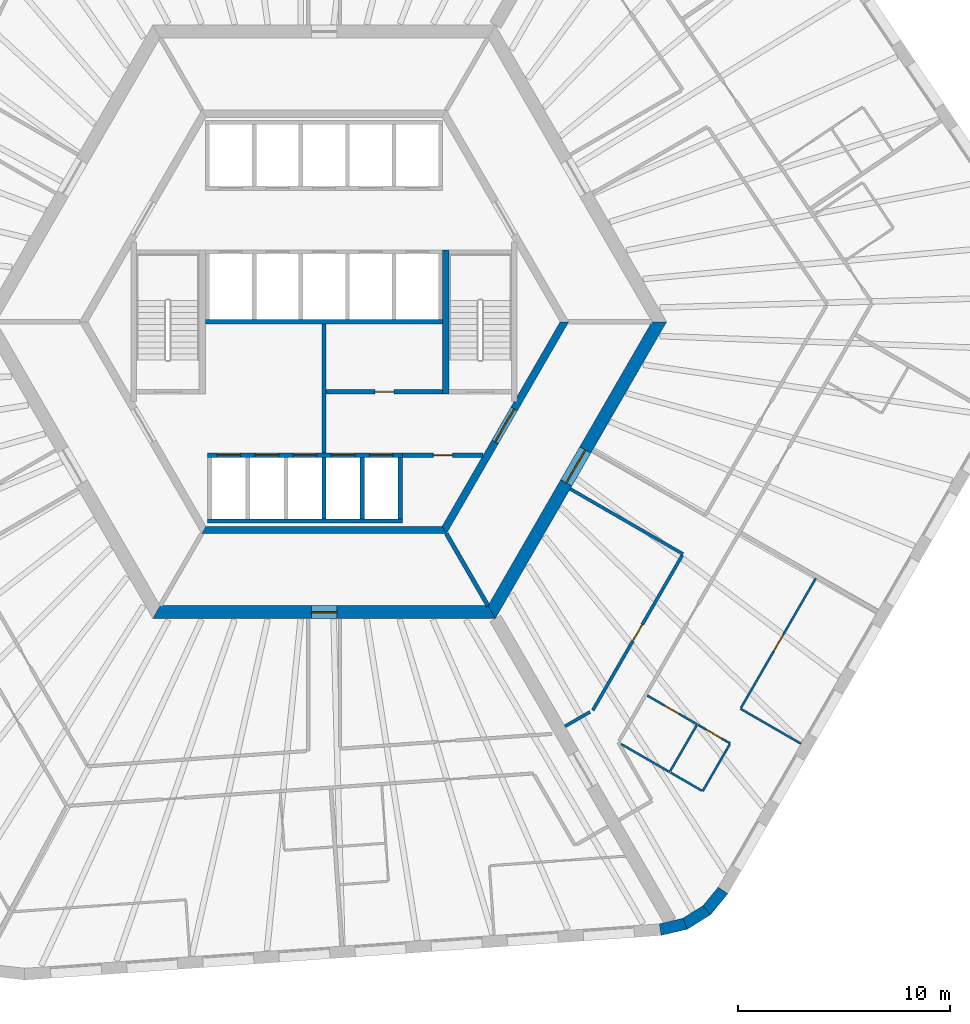
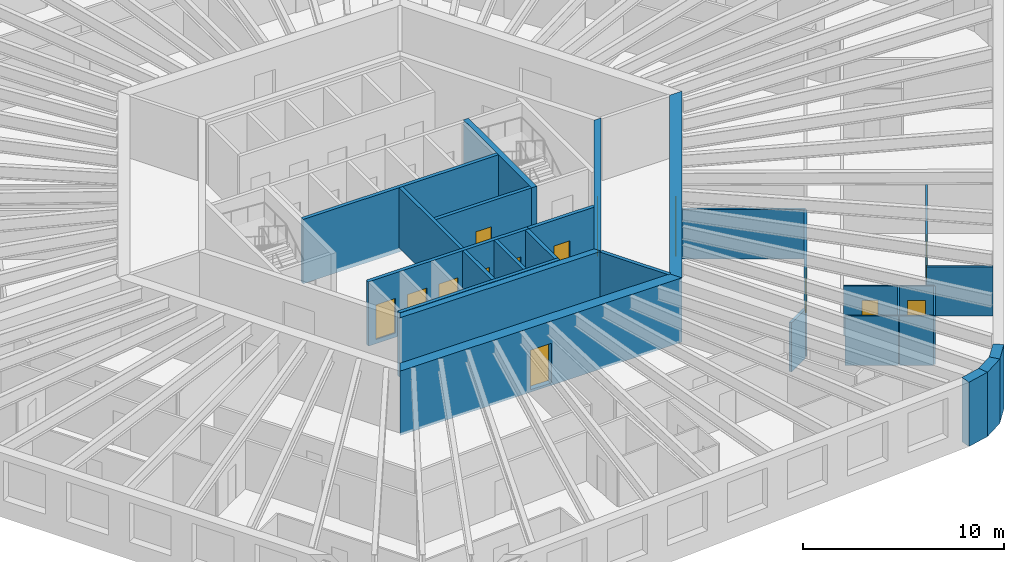
# One storey, part 5 of 12: 29 walls, 14 doors, 14 openings.
"""IFC4 building model written with IfcOpenShell, lengths in metres."""

import ifcopenshell
import ifcopenshell.guid

model = None  # the IFC model being written
_history = None  # IfcOwnerHistory: only IFC2X3 demands one
_inside = {}  # id of a spatial element -> (the spatial element, [elements in it])
_under = {}  # id of a project, library or spatial element -> (it, [spatial elements below it])
_declared = {}  # id of a project -> (the project, [libraries it declares])
_typed = {}  # id of a type object -> (the type object, [elements of that type])
_made_of = {}  # id of a material, layer set ... -> (it, [elements and type objects made of it])


def new_model(schema):
    """Start an empty IFC model of exactly this schema.

    Asked for "IFC4X3", IfcOpenShell would pick the latest addendum, in which some entities
    have other attributes; the version numbers below select the first issue.
    IFC2X3 requires an IfcOwnerHistory on every rooted entity: one is made here for all.
    """
    global model, _history
    if schema == "IFC4X3":
        model = ifcopenshell.file(schema_version=(4, 3, 0, 0))
    else:
        model = ifcopenshell.file(schema=schema)
    _inside.clear()
    _under.clear()
    _declared.clear()
    _typed.clear()
    _made_of.clear()
    _history = None
    if model.schema == "IFC2X3":
        org = make("IfcOrganization", Name="unknown")
        user = make(
            "IfcPersonAndOrganization",
            ThePerson=make("IfcPerson", FamilyName="unknown"),
            TheOrganization=org,
        )
        app = make(
            "IfcApplication",
            ApplicationDeveloper=org,
            Version="unknown",
            ApplicationFullName="unknown",
            ApplicationIdentifier="unknown",
        )
        _history = make(
            "IfcOwnerHistory",
            OwningUser=user,
            OwningApplication=app,
            ChangeAction="ADDED",
            CreationDate=0,
        )
    return model


def make(cls, **values):
    """One entity of the class cls with the attributes given. An attribute that is None is left unset."""
    return model.create_entity(
        cls, **{name: value for name, value in values.items() if value is not None}
    )


def rooted(cls, **values):
    """An entity with a GlobalId (a new one), such as an element, a storey or a relation."""
    return make(cls, GlobalId=ifcopenshell.guid.new(), OwnerHistory=_history, **values)


def si_unit(unit_type, name, prefix=None):
    """IfcSIUnit, for example si_unit("LENGTHUNIT", "METRE", prefix="MILLI")."""
    return make("IfcSIUnit", UnitType=unit_type, Prefix=prefix, Name=name)


def assignment(units):
    """IfcUnitAssignment: the units of a project."""
    return None if units is None else make("IfcUnitAssignment", Units=units)


def point(xyz):
    """IfcCartesianPoint."""
    return None if xyz is None else make("IfcCartesianPoint", Coordinates=xyz)


def direction(xyz):
    """IfcDirection."""
    return None if xyz is None else make("IfcDirection", DirectionRatios=xyz)


def frame(location, z_axis=None, x_axis=None):
    """IfcAxis2Placement3D, a coordinate frame: its origin and axes. An axis left out is left unset."""
    return make(
        "IfcAxis2Placement3D",
        Location=point(location),
        Axis=direction(z_axis),
        RefDirection=direction(x_axis),
    )


def frame_2d(location, x_axis=None):
    """IfcAxis2Placement2D, a coordinate frame in the plane: its origin and x axis."""
    return make(
        "IfcAxis2Placement2D", Location=point(location), RefDirection=direction(x_axis)
    )


def origin():
    """The frame at (0, 0, 0) with its axes left unset."""
    return frame((0.0, 0.0, 0.0))


def place(relative_to, where):
    """IfcLocalPlacement: puts the frame where relative to a parent placement (None: the world)."""
    return make(
        "IfcLocalPlacement", PlacementRelTo=relative_to, RelativePlacement=where
    )


def context(
    kind, dimensions, precision=None, world=None, true_north=None, identifier=None
):
    """IfcGeometricRepresentationContext, for example the 3D "Model" context."""
    return make(
        "IfcGeometricRepresentationContext",
        ContextIdentifier=identifier,
        ContextType=kind,
        CoordinateSpaceDimension=dimensions,
        Precision=precision,
        WorldCoordinateSystem=world,
        TrueNorth=true_north,
    )


def subcontext(parent, identifier, kind, view, scale=None):
    """IfcGeometricRepresentationSubContext, for example "Body" below "Model"."""
    return make(
        "IfcGeometricRepresentationSubContext",
        ContextIdentifier=identifier,
        ContextType=kind,
        ParentContext=parent,
        TargetScale=scale,
        TargetView=view,
    )


def project(units=None, contexts=None):
    """IfcProject with its units and contexts."""
    return rooted(
        "IfcProject",
        Name="project",
        RepresentationContexts=contexts,
        UnitsInContext=assignment(units),
    )


def spatial(cls, under=None, at=None, **own):
    """A site, building, storey or space (cls), placed at a placement, below another one or the project."""
    s = rooted(cls, ObjectPlacement=at, **own)
    if under is not None:
        _under.setdefault(under.id(), (under, []))[1].append(s)
    return s


def polyline(points):
    """IfcPolyline through the points."""
    return make("IfcPolyline", Points=[point(p) for p in points])


def profile(cls, at=None, kind="AREA", **sizes):
    """A parametric profile (cls). Its sizes go by their IFC names, for example OverallWidth=200.0."""
    return make(cls, ProfileType=kind, Position=at, **sizes)


def rectangle(**sizes):
    """IfcRectangleProfileDef."""
    return profile("IfcRectangleProfileDef", **sizes)


def outline(outer, holes=None, kind="AREA"):
    """IfcArbitraryClosedProfileDef: a profile drawn as a closed curve; with holes, ...WithVoids."""
    if holes is None:
        return make("IfcArbitraryClosedProfileDef", ProfileType=kind, OuterCurve=outer)
    return make(
        "IfcArbitraryProfileDefWithVoids",
        ProfileType=kind,
        OuterCurve=outer,
        InnerCurves=holes,
    )


def extrude(swept, where, along, depth):
    """IfcExtrudedAreaSolid: the profile swept, set in the frame where, extruded along a direction by depth."""
    return make(
        "IfcExtrudedAreaSolid",
        SweptArea=swept,
        Position=where,
        ExtrudedDirection=direction(along),
        Depth=depth,
    )


def shape(context_of_items, identifier, shape_type, items):
    """IfcShapeRepresentation: the items that make up one representation, for example the "Body"."""
    return make(
        "IfcShapeRepresentation",
        ContextOfItems=context_of_items,
        RepresentationIdentifier=identifier,
        RepresentationType=shape_type,
        Items=items,
    )


def material(Name=None, Category=None):
    """IfcMaterial."""
    return make("IfcMaterial", Name=Name, Category=Category)


def layer(
    of_material, thickness, ventilated=None, Name=None, Category=None, Priority=None
):
    """IfcMaterialLayer: one layer of a wall or slab, of a material (None: an air gap)."""
    return make(
        "IfcMaterialLayer",
        Material=of_material,
        LayerThickness=thickness,
        IsVentilated=ventilated,
        Name=Name,
        Category=Category,
        Priority=Priority,
    )


def layer_set(layers, Name=None):
    """IfcMaterialLayerSet."""
    return make("IfcMaterialLayerSet", MaterialLayers=layers, LayerSetName=Name)


def made_of(thing, what):
    """Note that an element or type object is made of a material, layer set ...; save() writes the relation."""
    if what is not None:
        _made_of.setdefault(what.id(), (what, []))[1].append(thing)
    return thing


def type_object(cls, material=None, **own):
    """A type object (cls), such as IfcWallType, which elements share."""
    return made_of(rooted(cls, **own), material)


def element(
    cls,
    number,
    at=None,
    inside=None,
    cuts=None,
    type_object=None,
    material=None,
    context=None,
    identifier="Body",
    shape_type=None,
    held_by="IfcProductDefinitionShape",
    body=None,
    shapes=None,
    **own,
):
    """One element of the class cls, such as IfcWall. Its Tag is "e" and its number.

    at: its placement. inside: the storey or other place that contains it. cuts: it is an
    opening in that element (IfcRelVoidsElement). A single representation is given by context,
    identifier, shape_type and body (its items); several are given by shapes. held_by: the class
    of the entity that holds the representations. save() writes the other relations.
    """
    e = rooted(cls, Tag="e%d" % number, ObjectPlacement=at, **own)
    if body is not None:
        shapes = [shape(context, identifier, shape_type, body)]
    if shapes is not None:
        e.Representation = make(held_by, Representations=shapes)
    if inside is not None:
        _inside.setdefault(inside.id(), (inside, []))[1].append(e)
    if cuts is not None:
        rooted(
            "IfcRelVoidsElement", RelatingBuildingElement=cuts, RelatedOpeningElement=e
        )
    if type_object is not None:
        _typed.setdefault(type_object.id(), (type_object, []))[1].append(e)
    return made_of(e, material)


def fill(opening, filler):
    """IfcRelFillsElement: the door or window that sits in an opening."""
    return rooted(
        "IfcRelFillsElement",
        RelatingOpeningElement=opening,
        RelatedBuildingElement=filler,
    )


def aggregate(whole, parts):
    """IfcRelAggregates: a whole, such as a stair, and the parts it consists of."""
    return rooted("IfcRelAggregates", RelatingObject=whole, RelatedObjects=parts)


def save(model, path):
    """Write the relations noted so far, then the file.

    IfcRelAggregates (storeys below a building ...), IfcRelContainedInSpatialStructure (elements
    in a storey), IfcRelDefinesByType, IfcRelAssociatesMaterial and IfcRelDeclares: one each for
    every whole, place, type object, material and project.
    """
    for whole, parts in _under.values():
        aggregate(whole, parts)
    for where, things in _inside.values():
        rooted(
            "IfcRelContainedInSpatialStructure",
            RelatedElements=things,
            RelatingStructure=where,
        )
    for kind, things in _typed.values():
        rooted("IfcRelDefinesByType", RelatedObjects=things, RelatingType=kind)
    for what, things in _made_of.values():
        rooted("IfcRelAssociatesMaterial", RelatedObjects=things, RelatingMaterial=what)
    for by, libraries in _declared.values():
        rooted("IfcRelDeclares", RelatingContext=by, RelatedDefinitions=libraries)
    model.write(path)


model = new_model("IFC4")

# Units and contexts
model_context = context("Model", 3, precision=1e-05, world=origin(), true_north=direction((0.0, 1.0)))
body_context = subcontext(model_context, "Body", "Model", "MODEL_VIEW")
ifc_project = project(units=[si_unit("LENGTHUNIT", "METRE"), si_unit("AREAUNIT", "SQUARE_METRE"), si_unit("VOLUMEUNIT", "CUBIC_METRE"), si_unit("PLANEANGLEUNIT", "RADIAN"), si_unit("MASSUNIT", "GRAM", prefix="KILO")], contexts=[model_context])

# Site, building, storey
site_placement = place(None, origin())
site = spatial("IfcSite", under=ifc_project, at=site_placement, CompositionType="ELEMENT")
building_placement = place(site_placement, origin())
building = spatial("IfcBuilding", under=site, at=building_placement, Name="Tarnside Tower", CompositionType="ELEMENT")
storey_placement = place(building_placement, frame((0.0, 0.0, 64.800048828125)))
storey = spatial("IfcBuildingStorey", under=building, at=storey_placement, Name="L13", CompositionType="ELEMENT", Elevation=64.800048828125)

# Wall
ifc_material_1 = material(Name="Gypsum board partition on steel studs", Category="steel")
ifc_layer_1 = layer(ifc_material_1, 0.10009765625)
ifc_layer_set_1 = layer_set([ifc_layer_1], Name="Bathroom wall 100")
wall_type_1 = type_object("IfcWallType", Name="Bathroom wall 100", PredefinedType="PARTITIONING", material=ifc_layer_set_1)
wall_1_placement = place(storey_placement, frame((16.31005859375, -21.25, 0.0), z_axis=(0.0, 0.0, 1.0), x_axis=(-0.866029095148, 0.499993606316, 0.0)))
element("IfcWall", 1, at=wall_1_placement, inside=storey, type_object=wall_type_1, Name="Bathroom wall 03124", PredefinedType="PARTITIONING", context=body_context, shape_type="SweptSolid", body=[
    extrude(rectangle(XDim=2.64990234375, YDim=0.10009765625, at=frame_2d((1.324951171875, 0.0))), origin(), (0.0, 0.0, 1.0), 2.98779296875),
])

# Wall, opening, door
wall_2_placement = place(storey_placement, frame((15.250244140625, -17.6357421875, 0.0), z_axis=(0.0, 0.0, 1.0), x_axis=(0.866012511928, -0.500022328685, 0.0)))
wall_2 = element("IfcWall", 2, at=wall_2_placement, inside=storey, type_object=wall_type_1, Name="Bathroom wall 03125", PredefinedType="PARTITIONING", context=body_context, shape_type="SweptSolid", body=[
    extrude(rectangle(XDim=2.72509765625, YDim=0.10009765625, at=frame_2d((1.362548828125, 0.0))), origin(), (0.0, 0.0, 1.0), 2.98779296875),
])
opening_1_placement = place(wall_2_placement, frame((0.925048828125, 0.0, 0.0)))
opening_1 = element("IfcOpeningElement", 3, at=opening_1_placement, cuts=wall_2, Name="Opening D-B1", PredefinedType="OPENING", context=body_context, shape_type="SweptSolid", body=[
    extrude(rectangle(XDim=0.800048828125, YDim=2.10009765625, at=frame_2d((0.39990234375, 1.050048828125))), frame((0.0, 0.06005859375, 0.0), z_axis=(0.0, -1.0, 0.0), x_axis=(1.0, 0.0, 0.0)), (0.0, 0.0, 1.0), 0.1201171875),
])
ifc_material_2 = material(Name="Timber door leaf", Category="wood")
door_type_1 = type_object("IfcDoorType", Name="Bathroom door 800", OperationType="NOTDEFINED", PredefinedType="DOOR", material=ifc_material_2)
door_1_placement = place(opening_1_placement, origin())
door_1 = element("IfcDoor", 4, at=door_1_placement, inside=storey, type_object=door_type_1, Name="Bathroom door 03027", OperationType="SINGLE_SWING_RIGHT", OverallHeight=2.10009765625, OverallWidth=0.800048828125, PredefinedType="DOOR", context=body_context, shape_type="SweptSolid", body=[
    extrude(rectangle(XDim=0.800048828125, YDim=2.10009765625, at=frame_2d((0.39990234375, 1.050048828125))), frame((0.0, 0.02490234375, 0.0), z_axis=(0.0, -1.0, 0.0), x_axis=(1.0, 0.0, 0.0)), (0.0, 0.0, 1.0), 0.050048828125),
])
fill(opening_1, door_1)

# Walls
wall_3_placement = place(storey_placement, frame((16.335205078125, -21.206787109375, 0.0), z_axis=(0.0, 0.0, 1.0), x_axis=(0.500004234368, 0.866022959057, 0.0)))
element("IfcWall", 5, at=wall_3_placement, inside=storey, type_object=wall_type_1, Name="Bathroom wall 03132", PredefinedType="PARTITIONING", context=body_context, shape_type="SweptSolid", body=[
    extrude(rectangle(XDim=2.5, YDim=0.10009765625, at=frame_2d((1.25, 0.0))), origin(), (0.0, 0.0, 1.0), 2.98779296875),
])
ifc_material_3 = material(Name="Concrete C50/60", Category="concrete")
ifc_layer_2 = layer(ifc_material_3, 0.35009765625)
ifc_layer_set_2 = layer_set([ifc_layer_2], Name="Core block wall 350 C50/60")
wall_type_2 = type_object("IfcWallType", Name="Core block wall 350 C50/60", PredefinedType="SHEAR", material=ifc_layer_set_2)
wall_4_placement = place(storey_placement, frame((-5.672607421875, -9.824951171875, -0.150146484375), z_axis=(0.0, 0.0, 1.0), x_axis=(1.0, 0.0, 0.0)))
element("IfcWall", 6, at=wall_4_placement, inside=storey, type_object=wall_type_2, Name="L13 core block wall face 4", PredefinedType="SHEAR", context=body_context, shape_type="SweptSolid", body=[
    extrude(outline(polyline([(-0.10107421875, -0.175048828125), (11.4462890625, -0.175048828125), (11.244140625, 0.175048828125), (0.10107421875, 0.175048828125), (-0.10107421875, -0.175048828125)])), origin(), (0.0, 0.0, 1.0), 3.900146484375),
])

# Wall, opening, door
wall_5_placement = place(storey_placement, frame((5.672607421875, -9.824951171875, -0.150146484375), z_axis=(0.0, 0.0, 1.0), x_axis=(0.499995046907, 0.866028263435, 0.0)))
wall_5 = element("IfcWall", 7, at=wall_5_placement, inside=storey, type_object=wall_type_2, Name="L13 core block wall face 5", PredefinedType="SHEAR", context=body_context, shape_type="SweptSolid", body=[
    extrude(outline(polyline([(-0.10107421875, -0.175048828125), (11.44580078125, -0.175048828125), (11.24365234375, 0.175048828125), (0.10107421875, 0.175048828125), (-0.10107421875, -0.175048828125)])), origin(), (0.0, 0.0, 1.0), 3.900146484375),
])
opening_2_placement = place(wall_5_placement, frame((4.80126953125, 0.0, 0.14990234375)))
opening_2 = element("IfcOpeningElement", 8, at=opening_2_placement, cuts=wall_5, Name="Opening CD-FFL", PredefinedType="OPENING", context=body_context, shape_type="SweptSolid", body=[
    extrude(rectangle(XDim=1.800048828125, YDim=2.39990234375, at=frame_2d((0.89990234375, 1.199951171875))), frame((0.0, 0.18505859375, 0.0), z_axis=(0.0, -1.0, 0.0), x_axis=(1.0, 0.0, 0.0)), (0.0, 0.0, 1.0), 0.3701171875),
])
ifc_material_4 = material(Name="Steel fire door", Category="steel")
door_type_2 = type_object("IfcDoorType", Name="Firefighting lobby double door FD60S 1800x2400", OperationType="NOTDEFINED", PredefinedType="DOOR", material=ifc_material_4)
door_2_placement = place(opening_2_placement, origin())
door_2 = element("IfcDoor", 9, at=door_2_placement, inside=storey, type_object=door_type_2, Name="L13 lobby block door P4", OperationType="DOUBLE_DOOR_SINGLE_SWING", OverallHeight=2.39990234375, OverallWidth=1.800048828125, PredefinedType="DOOR", context=body_context, shape_type="SweptSolid", body=[
    extrude(rectangle(XDim=1.800048828125, YDim=2.39990234375, at=frame_2d((0.89990234375, 1.199951171875))), frame((0.0, 0.02490234375, 0.0), z_axis=(0.0, -1.0, 0.0), x_axis=(1.0, 0.0, 0.0)), (0.0, 0.0, 1.0), 0.050048828125),
])
fill(opening_2, door_2)

ifc_material_5 = material(Name="Concrete C40/50", Category="concrete")
ifc_layer_3 = layer(ifc_material_5, 0.199951171875)
ifc_layer_set_3 = layer_set([ifc_layer_3], Name="Core room partition 200 C40/50")
wall_type_3 = type_object("IfcWallType", Name="Core room partition 200 C40/50", PredefinedType="PARTITIONING", material=ifc_layer_set_3)
wall_6_placement = place(storey_placement, frame((0.10009765625, -3.300048828125, 0.0), z_axis=(0.0, 0.0, 1.0), x_axis=(1.0, 0.0, 0.0)))
wall_6 = element("IfcWall", 10, at=wall_6_placement, inside=storey, type_object=wall_type_3, Name="L13 core partition R3S1", PredefinedType="PARTITIONING", context=body_context, shape_type="SweptSolid", body=[
    extrude(rectangle(XDim=5.5, YDim=0.199951171875, at=frame_2d((2.75, 0.0))), origin(), (0.0, 0.0, 1.0), 3.64990234375),
])
opening_3_placement = place(wall_6_placement, frame((2.300048828125, 0.0, 0.0)))
opening_3 = element("IfcOpeningElement", 11, at=opening_3_placement, cuts=wall_6, Name="Opening CD-room", PredefinedType="OPENING", context=body_context, shape_type="SweptSolid", body=[
    extrude(rectangle(XDim=0.89990234375, YDim=2.10009765625, at=frame_2d((0.449951171875, 1.050048828125))), frame((0.0, 0.10986328125, 0.0), z_axis=(0.0, -1.0, 0.0), x_axis=(1.0, 0.0, 0.0)), (0.0, 0.0, 1.0), 0.219970703125),
])
door_type_3 = type_object("IfcDoorType", Name="Room door FD60 900x2100", OperationType="NOTDEFINED", PredefinedType="DOOR", material=ifc_material_4)
door_3_placement = place(opening_3_placement, origin())
door_3 = element("IfcDoor", 12, at=door_3_placement, inside=storey, type_object=door_type_3, Name="L13 core room door SR1", OperationType="SINGLE_SWING_LEFT", OverallHeight=2.10009765625, OverallWidth=0.89990234375, PredefinedType="DOOR", context=body_context, shape_type="SweptSolid", body=[
    extrude(rectangle(XDim=0.89990234375, YDim=2.10009765625, at=frame_2d((0.449951171875, 1.050048828125))), frame((0.0, 0.02490234375, 0.0), z_axis=(0.0, -1.0, 0.0), x_axis=(1.0, 0.0, 0.0)), (0.0, 0.0, 1.0), 0.050048828125),
])
fill(opening_3, door_3)

# Wall
wall_7_placement = place(storey_placement, frame((0.0, -6.199951171875, 0.0), z_axis=(0.0, 0.0, 1.0), x_axis=(0.0, 1.0, 0.0)))
element("IfcWall", 13, at=wall_7_placement, inside=storey, type_object=wall_type_3, Name="L13 core partition X0", PredefinedType="PARTITIONING", context=body_context, shape_type="SweptSolid", body=[
    extrude(rectangle(XDim=6.099853515625, YDim=0.199951171875, at=frame_2d((3.0498046875, 0.0))), origin(), (0.0, 0.0, 1.0), 3.64990234375),
])

# Wall, opening, door
wall_8_placement = place(storey_placement, frame((3.699951171875, -6.300048828125, 0.0), z_axis=(0.0, 0.0, 1.0), x_axis=(1.0, 0.0, 0.0)))
wall_8 = element("IfcWall", 14, at=wall_8_placement, inside=storey, type_object=wall_type_3, Name="L13 core partition R4X", PredefinedType="PARTITIONING", context=body_context, shape_type="SweptSolid", body=[
    extrude(rectangle(XDim=3.8056640625, YDim=0.199951171875, at=frame_2d((1.90283203125, 0.0))), origin(), (0.0, 0.0, 1.0), 3.64990234375),
])
opening_4_placement = place(wall_8_placement, frame((1.452880859375, 0.0, 0.0)))
opening_4 = element("IfcOpeningElement", 15, at=opening_4_placement, cuts=wall_8, Name="Opening CD-room", PredefinedType="OPENING", context=body_context, shape_type="SweptSolid", body=[
    extrude(rectangle(XDim=0.89990234375, YDim=2.10009765625, at=frame_2d((0.449951171875, 1.050048828125))), frame((0.0, 0.10986328125, 0.0), z_axis=(0.0, -1.0, 0.0), x_axis=(1.0, 0.0, 0.0)), (0.0, 0.0, 1.0), 0.219970703125),
])
door_4_placement = place(opening_4_placement, origin())
door_4 = element("IfcDoor", 16, at=door_4_placement, inside=storey, type_object=door_type_3, Name="L13 core room door RX", OperationType="SINGLE_SWING_LEFT", OverallHeight=2.10009765625, OverallWidth=0.89990234375, PredefinedType="DOOR", context=body_context, shape_type="SweptSolid", body=[
    extrude(rectangle(XDim=0.89990234375, YDim=2.10009765625, at=frame_2d((0.449951171875, 1.050048828125))), frame((0.0, 0.02490234375, 0.0), z_axis=(0.0, -1.0, 0.0), x_axis=(1.0, 0.0, 0.0)), (0.0, 0.0, 1.0), 0.050048828125),
])
fill(opening_4, door_4)

ifc_material_6 = material(Name="Concrete C80/95", Category="concrete")
ifc_layer_4 = layer(ifc_material_6, 0.60009765625)
ifc_layer_set_4 = layer_set([ifc_layer_4], Name="Core wall Z1 600 C80/95")
wall_type_4 = type_object("IfcWallType", Name="Core wall Z1 600 C80/95", PredefinedType="SHEAR", material=ifc_layer_set_4)
wall_9_placement = place(storey_placement, frame((-7.90966796875, -13.699951171875, -0.150146484375), z_axis=(0.0, 0.0, 1.0), x_axis=(1.0, 0.0, 0.0)))
wall_9 = element("IfcWall", 17, at=wall_9_placement, inside=storey, type_object=wall_type_4, Name="L13 core wall face 4", PredefinedType="SHEAR", context=body_context, shape_type="SweptSolid", body=[
    extrude(outline(polyline([(-0.17333984375, -0.300048828125), (15.99267578125, -0.300048828125), (15.64599609375, 0.300048828125), (0.17333984375, 0.300048828125), (-0.17333984375, -0.300048828125)])), origin(), (0.0, 0.0, 1.0), 3.900146484375),
])
opening_5_placement = place(wall_9_placement, frame((7.309814453125, 0.0, 0.14990234375)))
opening_5 = element("IfcOpeningElement", 18, at=opening_5_placement, cuts=wall_9, Name="Opening CD-RSR", PredefinedType="OPENING", context=body_context, shape_type="SweptSolid", body=[
    extrude(rectangle(XDim=1.199951171875, YDim=2.39990234375, at=frame_2d((0.60009765625, 1.199951171875))), frame((0.0, 0.31005859375, 0.0), z_axis=(0.0, -1.0, 0.0), x_axis=(1.0, 0.0, 0.0)), (0.0, 0.0, 1.0), 0.6201171875),
])
door_type_4 = type_object("IfcDoorType", Name="Riser door FD60 1200x2400", OperationType="NOTDEFINED", PredefinedType="DOOR", material=ifc_material_4)
door_5_placement = place(opening_5_placement, origin())
door_5 = element("IfcDoor", 19, at=door_5_placement, inside=storey, type_object=door_type_4, Name="L13 core door S6", OperationType="SINGLE_SWING_LEFT", OverallHeight=2.39990234375, OverallWidth=1.199951171875, PredefinedType="DOOR", context=body_context, shape_type="SweptSolid", body=[
    extrude(rectangle(XDim=1.199951171875, YDim=2.39990234375, at=frame_2d((0.60009765625, 1.199951171875))), frame((0.0, 0.02490234375, 0.0), z_axis=(0.0, -1.0, 0.0), x_axis=(1.0, 0.0, 0.0)), (0.0, 0.0, 1.0), 0.050048828125),
])
fill(opening_5, door_5)

wall_10_placement = place(storey_placement, frame((7.90966796875, -13.699951171875, -0.150146484375), z_axis=(0.0, 0.0, 1.0), x_axis=(0.499999880136, 0.866025472988, 0.0)))
wall_10 = element("IfcWall", 20, at=wall_10_placement, inside=storey, type_object=wall_type_4, Name="L13 core wall face 5", PredefinedType="SHEAR", context=body_context, shape_type="SweptSolid", body=[
    extrude(outline(polyline([(-0.17333984375, -0.300048828125), (15.99267578125, -0.300048828125), (15.64599609375, 0.300048828125), (0.17333984375, 0.300048828125), (-0.17333984375, -0.300048828125)])), origin(), (0.0, 0.0, 1.0), 3.900146484375),
])
opening_6_placement = place(wall_10_placement, frame((7.03857421875, 0.0, 0.14990234375)))
opening_6 = element("IfcOpeningElement", 21, at=opening_6_placement, cuts=wall_10, Name="Opening CD-FFL", PredefinedType="OPENING", context=body_context, shape_type="SweptSolid", body=[
    extrude(rectangle(XDim=1.800048828125, YDim=2.39990234375, at=frame_2d((0.89990234375, 1.199951171875))), frame((0.0, 0.31005859375, 0.0), z_axis=(0.0, -1.0, 0.0), x_axis=(1.0, 0.0, 0.0)), (0.0, 0.0, 1.0), 0.6201171875),
])
door_6_placement = place(opening_6_placement, origin())
door_6 = element("IfcDoor", 22, at=door_6_placement, inside=storey, type_object=door_type_2, Name="L13 core door P4", OperationType="DOUBLE_DOOR_SINGLE_SWING", OverallHeight=2.39990234375, OverallWidth=1.800048828125, PredefinedType="DOOR", context=body_context, shape_type="SweptSolid", body=[
    extrude(rectangle(XDim=1.800048828125, YDim=2.39990234375, at=frame_2d((0.89990234375, 1.199951171875))), frame((0.0, 0.02490234375, 0.0), z_axis=(0.0, -1.0, 0.0), x_axis=(1.0, 0.0, 0.0)), (0.0, 0.0, 1.0), 0.050048828125),
])
fill(opening_6, door_6)

# Wall
ifc_layer_5 = layer(ifc_material_1, 0.14990234375)
ifc_layer_set_5 = layer_set([ifc_layer_5], Name="Corridor wall 150 EI 60")
wall_type_5 = type_object("IfcWallType", Name="Corridor wall 150 EI 60", PredefinedType="PARTITIONING", material=ifc_layer_set_5)
wall_11_placement = place(storey_placement, frame((11.61376953125, -7.88427734375, 0.0), z_axis=(0.0, 0.0, 1.0), x_axis=(0.866033542371, -0.499985903289, 0.0)))
element("IfcWall", 23, at=wall_11_placement, inside=storey, type_object=wall_type_5, Name="Corridor wall 03067", PredefinedType="PARTITIONING", context=body_context, shape_type="SweptSolid", body=[
    extrude(rectangle(XDim=6.150146484375, YDim=0.14990234375, at=frame_2d((3.0751953125, 0.0))), origin(), (0.0, 0.0, 1.0), 2.98779296875),
])

# Wall, opening, door
wall_12_placement = place(storey_placement, frame((16.90234375, -11.024169921875, 0.0), z_axis=(0.0, 0.0, 1.0), x_axis=(-0.499999527968, -0.866025676312, 0.0)))
wall_12 = element("IfcWall", 24, at=wall_12_placement, inside=storey, type_object=wall_type_5, Name="Corridor wall 03068", PredefinedType="PARTITIONING", context=body_context, shape_type="SweptSolid", body=[
    extrude(rectangle(XDim=8.44091796875, YDim=0.14990234375, at=frame_2d((4.220458984375, 0.0))), origin(), (0.0, 0.0, 1.0), 2.98779296875),
])
opening_7_placement = place(wall_12_placement, frame((3.7705078125, 0.0, 0.0)))
opening_7 = element("IfcOpeningElement", 25, at=opening_7_placement, cuts=wall_12, Name="Opening D-S1", PredefinedType="OPENING", context=body_context, shape_type="SweptSolid", body=[
    extrude(rectangle(XDim=0.89990234375, YDim=2.10009765625, at=frame_2d((0.449951171875, 1.050048828125))), frame((0.0, 0.0849609375, 0.0), z_axis=(0.0, -1.0, 0.0), x_axis=(1.0, 0.0, 0.0)), (0.0, 0.0, 1.0), 0.169921875),
])
door_type_5 = type_object("IfcDoorType", Name="Service room door 900 FD30S", OperationType="NOTDEFINED", PredefinedType="DOOR", material=ifc_material_2)
door_7_placement = place(opening_7_placement, origin())
door_7 = element("IfcDoor", 26, at=door_7_placement, inside=storey, type_object=door_type_5, Name="Service door 03046", OperationType="SINGLE_SWING_RIGHT", OverallHeight=2.10009765625, OverallWidth=0.89990234375, PredefinedType="DOOR", context=body_context, shape_type="SweptSolid", body=[
    extrude(rectangle(XDim=0.89990234375, YDim=2.10009765625, at=frame_2d((0.449951171875, 1.050048828125))), frame((0.0, 0.02490234375, 0.0), z_axis=(0.0, -1.0, 0.0), x_axis=(1.0, 0.0, 0.0)), (0.0, 0.0, 1.0), 0.050048828125),
])
fill(opening_7, door_7)

# Walls
wall_13_placement = place(storey_placement, frame((12.552001953125, -18.409423828125, 0.0), z_axis=(0.0, 0.0, 1.0), x_axis=(-0.866078408764, -0.499908181442, 0.0)))
element("IfcWall", 27, at=wall_13_placement, inside=storey, type_object=wall_type_5, Name="Corridor wall 03069", PredefinedType="PARTITIONING", context=body_context, shape_type="SweptSolid", body=[
    extrude(rectangle(XDim=1.365478515625, YDim=0.14990234375, at=frame_2d((0.6826171875, 0.0))), origin(), (0.0, 0.0, 1.0), 2.98779296875),
])
ifc_layer_6 = layer(ifc_material_5, 0.199951171875)
ifc_layer_set_6 = layer_set([ifc_layer_6], Name="Lift shaft wall 200 C40/50")
wall_type_6 = type_object("IfcWallType", Name="Lift shaft wall 200 C40/50", PredefinedType="SHEAR", material=ifc_layer_set_6)
wall_14_placement = place(storey_placement, frame((-5.60009765625, 0.0, -0.25), z_axis=(0.0, 0.0, 1.0), x_axis=(1.0, 0.0, 0.0)))
element("IfcWall", 28, at=wall_14_placement, inside=storey, type_object=wall_type_6, Name="L13 lift shaft back wall R2", PredefinedType="SHEAR", context=body_context, shape_type="SweptSolid", body=[
    extrude(rectangle(XDim=11.2001953125, YDim=0.199951171875, at=frame_2d((5.60009765625, 0.0))), origin(), (0.0, 0.0, 1.0), 3.89990234375),
])

# Wall, openings, doors
wall_15_placement = place(storey_placement, frame((-5.5, -6.300048828125, -0.25), z_axis=(0.0, 0.0, 1.0), x_axis=(1.0, 0.0, 0.0)))
wall_15 = element("IfcWall", 29, at=wall_15_placement, inside=storey, type_object=wall_type_6, Name="L13 lift shaft front wall R4", PredefinedType="SHEAR", context=body_context, shape_type="SweptSolid", body=[
    extrude(rectangle(XDim=9.199951171875, YDim=0.199951171875, at=frame_2d((4.60009765625, 0.0))), origin(), (0.0, 0.0, 1.0), 3.89990234375),
])
opening_8_placement = place(wall_15_placement, frame((0.449951171875, 0.0, 0.25)))
opening_8 = element("IfcOpeningElement", 30, at=opening_8_placement, cuts=wall_15, Name="Opening LDF", PredefinedType="OPENING", context=body_context, shape_type="SweptSolid", body=[
    extrude(rectangle(XDim=1.10009765625, YDim=2.10009765625, at=frame_2d((0.550048828125, 1.050048828125))), frame((0.0, 0.10986328125, 0.0), z_axis=(0.0, -1.0, 0.0), x_axis=(1.0, 0.0, 0.0)), (0.0, 0.0, 1.0), 0.219970703125),
])
opening_9_placement = place(wall_15_placement, frame((2.25, 0.0, 0.25)))
opening_9 = element("IfcOpeningElement", 31, at=opening_9_placement, cuts=wall_15, Name="Opening LDF", PredefinedType="OPENING", context=body_context, shape_type="SweptSolid", body=[
    extrude(rectangle(XDim=1.10009765625, YDim=2.10009765625, at=frame_2d((0.550048828125, 1.050048828125))), frame((0.0, 0.10986328125, 0.0), z_axis=(0.0, -1.0, 0.0), x_axis=(1.0, 0.0, 0.0)), (0.0, 0.0, 1.0), 0.219970703125),
])
opening_10_placement = place(wall_15_placement, frame((4.050048828125, 0.0, 0.25)))
opening_10 = element("IfcOpeningElement", 32, at=opening_10_placement, cuts=wall_15, Name="Opening LDF", PredefinedType="OPENING", context=body_context, shape_type="SweptSolid", body=[
    extrude(rectangle(XDim=1.10009765625, YDim=2.10009765625, at=frame_2d((0.550048828125, 1.050048828125))), frame((0.0, 0.10986328125, 0.0), z_axis=(0.0, -1.0, 0.0), x_axis=(1.0, 0.0, 0.0)), (0.0, 0.0, 1.0), 0.219970703125),
])
opening_11_placement = place(wall_15_placement, frame((5.85009765625, 0.0, 0.25)))
opening_11 = element("IfcOpeningElement", 33, at=opening_11_placement, cuts=wall_15, Name="Opening LDF", PredefinedType="OPENING", context=body_context, shape_type="SweptSolid", body=[
    extrude(rectangle(XDim=1.10009765625, YDim=2.10009765625, at=frame_2d((0.550048828125, 1.050048828125))), frame((0.0, 0.10986328125, 0.0), z_axis=(0.0, -1.0, 0.0), x_axis=(1.0, 0.0, 0.0)), (0.0, 0.0, 1.0), 0.219970703125),
])
opening_12_placement = place(wall_15_placement, frame((7.64990234375, 0.0, 0.25)))
opening_12 = element("IfcOpeningElement", 34, at=opening_12_placement, cuts=wall_15, Name="Opening LDF", PredefinedType="OPENING", context=body_context, shape_type="SweptSolid", body=[
    extrude(rectangle(XDim=1.10009765625, YDim=2.10009765625, at=frame_2d((0.550048828125, 1.050048828125))), frame((0.0, 0.10986328125, 0.0), z_axis=(0.0, -1.0, 0.0), x_axis=(1.0, 0.0, 0.0)), (0.0, 0.0, 1.0), 0.219970703125),
])
ifc_material_7 = material(Name="Stainless steel", Category="steel")
door_type_6 = type_object("IfcDoorType", Name="Lift landing door 1100x2100 EI 120", OperationType="NOTDEFINED", PredefinedType="DOOR", material=ifc_material_7)
door_8_placement = place(opening_8_placement, origin())
door_8 = element("IfcDoor", 35, at=door_8_placement, inside=storey, type_object=door_type_6, Name="Firefighting lift 1 landing door L13", OperationType="SLIDING_TO_LEFT", OverallHeight=2.10009765625, OverallWidth=1.10009765625, PredefinedType="DOOR", context=body_context, shape_type="SweptSolid", body=[
    extrude(rectangle(XDim=1.10009765625, YDim=2.10009765625, at=frame_2d((0.550048828125, 1.050048828125))), frame((0.0, 0.02490234375, 0.0), z_axis=(0.0, -1.0, 0.0), x_axis=(1.0, 0.0, 0.0)), (0.0, 0.0, 1.0), 0.050048828125),
])
fill(opening_8, door_8)
door_9_placement = place(opening_9_placement, origin())
door_9 = element("IfcDoor", 36, at=door_9_placement, inside=storey, type_object=door_type_6, Name="Firefighting lift 2 landing door L13", OperationType="SLIDING_TO_LEFT", OverallHeight=2.10009765625, OverallWidth=1.10009765625, PredefinedType="DOOR", context=body_context, shape_type="SweptSolid", body=[
    extrude(rectangle(XDim=1.10009765625, YDim=2.10009765625, at=frame_2d((0.550048828125, 1.050048828125))), frame((0.0, 0.02490234375, 0.0), z_axis=(0.0, -1.0, 0.0), x_axis=(1.0, 0.0, 0.0)), (0.0, 0.0, 1.0), 0.050048828125),
])
fill(opening_9, door_9)
door_10_placement = place(opening_10_placement, origin())
door_10 = element("IfcDoor", 37, at=door_10_placement, inside=storey, type_object=door_type_6, Name="Firefighting lift 3 landing door L13", OperationType="SLIDING_TO_LEFT", OverallHeight=2.10009765625, OverallWidth=1.10009765625, PredefinedType="DOOR", context=body_context, shape_type="SweptSolid", body=[
    extrude(rectangle(XDim=1.10009765625, YDim=2.10009765625, at=frame_2d((0.550048828125, 1.050048828125))), frame((0.0, 0.02490234375, 0.0), z_axis=(0.0, -1.0, 0.0), x_axis=(1.0, 0.0, 0.0)), (0.0, 0.0, 1.0), 0.050048828125),
])
fill(opening_10, door_10)
door_11_placement = place(opening_11_placement, origin())
door_11 = element("IfcDoor", 38, at=door_11_placement, inside=storey, type_object=door_type_6, Name="Firefighting lift 4 landing door L13", OperationType="SLIDING_TO_LEFT", OverallHeight=2.10009765625, OverallWidth=1.10009765625, PredefinedType="DOOR", context=body_context, shape_type="SweptSolid", body=[
    extrude(rectangle(XDim=1.10009765625, YDim=2.10009765625, at=frame_2d((0.550048828125, 1.050048828125))), frame((0.0, 0.02490234375, 0.0), z_axis=(0.0, -1.0, 0.0), x_axis=(1.0, 0.0, 0.0)), (0.0, 0.0, 1.0), 0.050048828125),
])
fill(opening_11, door_11)
door_12_placement = place(opening_12_placement, origin())
door_12 = element("IfcDoor", 39, at=door_12_placement, inside=storey, type_object=door_type_6, Name="Firefighting lift 5 landing door L13", OperationType="SLIDING_TO_LEFT", OverallHeight=2.10009765625, OverallWidth=1.10009765625, PredefinedType="DOOR", context=body_context, shape_type="SweptSolid", body=[
    extrude(rectangle(XDim=1.10009765625, YDim=2.10009765625, at=frame_2d((0.550048828125, 1.050048828125))), frame((0.0, 0.02490234375, 0.0), z_axis=(0.0, -1.0, 0.0), x_axis=(1.0, 0.0, 0.0)), (0.0, 0.0, 1.0), 0.050048828125),
])
fill(opening_12, door_12)

# Walls
wall_16_placement = place(storey_placement, frame((-5.5, -9.39990234375, -0.25), z_axis=(0.0, 0.0, 1.0), x_axis=(1.0, 0.0, 0.0)))
element("IfcWall", 40, at=wall_16_placement, inside=storey, type_object=wall_type_6, Name="L13 lift shaft back wall R4", PredefinedType="SHEAR", context=body_context, shape_type="SweptSolid", body=[
    extrude(rectangle(XDim=9.199951171875, YDim=0.199951171875, at=frame_2d((4.60009765625, 0.0))), origin(), (0.0, 0.0, 1.0), 3.89990234375),
])
for number, where, z_axis, x_axis, name in (
    (41, (0.0, -9.300048828125, -0.25), (0.0, 0.0, 1.0), (0.0, 1.0, 0.0), "L13 lift shaft partition R44"),
    (42, (1.800048828125, -9.300048828125, -0.25), (0.0, 0.0, 1.0), (0.0, 1.0, 0.0), "L13 lift shaft partition R45"),
    (43, (3.60009765625, -9.300048828125, -0.25), (0.0, 0.0, 1.0), (0.0, 1.0, 0.0), "L13 lift shaft partition R46"),
):
    element("IfcWall", number, at=place(storey_placement, frame(where, z_axis=z_axis, x_axis=x_axis)), inside=storey, type_object=wall_type_6, Name=name, PredefinedType="SHEAR", context=body_context, shape_type="SweptSolid", body=[
        extrude(rectangle(XDim=2.900146484375, YDim=0.199951171875, at=frame_2d((1.4501953125, 0.0))), origin(), (0.0, 0.0, 1.0), 3.89990234375),
    ])
wall_17_placement = place(storey_placement, frame((5.7734375, -10.0, -0.150146484375), z_axis=(0.0, 0.0, 1.0), x_axis=(0.500038251005, -0.86600331843, 0.0)))
element("IfcWall", 44, at=wall_17_placement, inside=storey, type_object=wall_type_6, Name="L13 core partition AR300", PredefinedType="SHEAR", context=body_context, shape_type="SweptSolid", body=[
    extrude(rectangle(XDim=3.926025390625, YDim=0.199951171875, at=frame_2d((1.962890625, 0.0))), origin(), (0.0, 0.0, 1.0), 3.900146484375),
])

# Wall, opening, door
ifc_layer_7 = layer(ifc_material_1, 0.10009765625)
ifc_layer_set_7 = layer_set([ifc_layer_7], Name="Partition 100")
wall_type_7 = type_object("IfcWallType", Name="Partition 100", PredefinedType="PARTITIONING", material=ifc_layer_set_7)
wall_18_placement = place(storey_placement, frame((17.653564453125, -19.0234375, 0.0), z_axis=(0.0, 0.0, 1.0), x_axis=(0.866002029911, -0.500040482552, 0.0)))
wall_18 = element("IfcWall", 45, at=wall_18_placement, inside=storey, type_object=wall_type_7, Name="Partition wall 03126", PredefinedType="PARTITIONING", context=body_context, shape_type="SweptSolid", body=[
    extrude(rectangle(XDim=1.749755859375, YDim=0.10009765625, at=frame_2d((0.875, 0.0))), origin(), (0.0, 0.0, 1.0), 2.98779296875),
])
opening_13_placement = place(wall_18_placement, frame((0.39990234375, 0.0, 0.0)))
opening_13 = element("IfcOpeningElement", 46, at=opening_13_placement, cuts=wall_18, Name="Opening D-I1", PredefinedType="OPENING", context=body_context, shape_type="SweptSolid", body=[
    extrude(rectangle(XDim=0.89990234375, YDim=2.10009765625, at=frame_2d((0.449951171875, 1.050048828125))), frame((0.0, 0.06005859375, 0.0), z_axis=(0.0, -1.0, 0.0), x_axis=(1.0, 0.0, 0.0)), (0.0, 0.0, 1.0), 0.1201171875),
])
door_type_7 = type_object("IfcDoorType", Name="Internal door 900", OperationType="NOTDEFINED", PredefinedType="DOOR", material=ifc_material_2)
door_13_placement = place(opening_13_placement, origin())
door_13 = element("IfcDoor", 47, at=door_13_placement, inside=storey, type_object=door_type_7, Name="Internal door 03028", OperationType="SINGLE_SWING_RIGHT", OverallHeight=2.10009765625, OverallWidth=0.89990234375, PredefinedType="DOOR", context=body_context, shape_type="SweptSolid", body=[
    extrude(rectangle(XDim=0.89990234375, YDim=2.10009765625, at=frame_2d((0.449951171875, 1.050048828125))), frame((0.0, 0.02490234375, 0.0), z_axis=(0.0, -1.0, 0.0), x_axis=(1.0, 0.0, 0.0)), (0.0, 0.0, 1.0), 0.050048828125),
])
fill(opening_13, door_13)

# Walls
wall_19_placement = place(storey_placement, frame((19.14404296875, -19.941650390625, 0.0), z_axis=(0.0, 0.0, 1.0), x_axis=(-0.500062241894, -0.865989465428, 0.0)))
element("IfcWall", 48, at=wall_19_placement, inside=storey, type_object=wall_type_7, Name="Partition wall 03127", PredefinedType="PARTITIONING", context=body_context, shape_type="SweptSolid", body=[
    extrude(rectangle(XDim=2.550048828125, YDim=0.10009765625, at=frame_2d((1.27490234375, 0.0))), origin(), (0.0, 0.0, 1.0), 2.98779296875),
])
wall_20_placement = place(storey_placement, frame((17.82568359375, -22.125, 0.0), z_axis=(0.0, 0.0, 1.0), x_axis=(-0.865989465428, 0.500062241894, 0.0)))
element("IfcWall", 49, at=wall_20_placement, inside=storey, type_object=wall_type_7, Name="Partition wall 03128", PredefinedType="PARTITIONING", context=body_context, shape_type="SweptSolid", body=[
    extrude(rectangle(XDim=1.699951171875, YDim=0.10009765625, at=frame_2d((0.85009765625, 0.0))), origin(), (0.0, 0.0, 1.0), 2.98779296875),
])
wall_21_placement = place(storey_placement, frame((22.510009765625, -19.91162109375, 0.0), z_axis=(0.0, 0.0, 1.0), x_axis=(-0.866008176907, 0.50002983664, 0.0)))
element("IfcWall", 50, at=wall_21_placement, inside=storey, type_object=wall_type_7, Name="Partition wall 03129", PredefinedType="PARTITIONING", context=body_context, shape_type="SweptSolid", body=[
    extrude(rectangle(XDim=3.300048828125, YDim=0.10009765625, at=frame_2d((1.64990234375, 0.0))), origin(), (0.0, 0.0, 1.0), 2.98779296875),
])

# Wall, opening, door
wall_22_placement = place(storey_placement, frame((19.677001953125, -18.21826171875, 0.0), z_axis=(0.0, 0.0, 1.0), x_axis=(0.500010820671, 0.866019156377, 0.0)))
wall_22 = element("IfcWall", 51, at=wall_22_placement, inside=storey, type_object=wall_type_7, Name="Partition wall 03130", PredefinedType="PARTITIONING", context=body_context, shape_type="SweptSolid", body=[
    extrude(rectangle(XDim=7.059814453125, YDim=0.10009765625, at=frame_2d((3.52978515625, 0.0))), origin(), (0.0, 0.0, 1.0), 2.98779296875),
])
opening_14_placement = place(wall_22_placement, frame((3.10009765625, 0.0, 0.0)))
opening_14 = element("IfcOpeningElement", 52, at=opening_14_placement, cuts=wall_22, Name="Opening D-I1", PredefinedType="OPENING", context=body_context, shape_type="SweptSolid", body=[
    extrude(rectangle(XDim=0.89990234375, YDim=2.10009765625, at=frame_2d((0.449951171875, 1.050048828125))), frame((0.0, 0.06005859375, 0.0), z_axis=(0.0, -1.0, 0.0), x_axis=(1.0, 0.0, 0.0)), (0.0, 0.0, 1.0), 0.1201171875),
])
door_14_placement = place(opening_14_placement, origin())
door_14 = element("IfcDoor", 53, at=door_14_placement, inside=storey, type_object=door_type_7, Name="Internal door 03029", OperationType="SINGLE_SWING_LEFT", OverallHeight=2.10009765625, OverallWidth=0.89990234375, PredefinedType="DOOR", context=body_context, shape_type="SweptSolid", body=[
    extrude(rectangle(XDim=0.89990234375, YDim=2.10009765625, at=frame_2d((0.449951171875, 1.050048828125))), frame((0.0, 0.02490234375, 0.0), z_axis=(0.0, -1.0, 0.0), x_axis=(1.0, 0.0, 0.0)), (0.0, 0.0, 1.0), 0.050048828125),
])
fill(opening_14, door_14)

# Walls
ifc_layer_8 = layer(ifc_material_5, 0.300048828125)
ifc_layer_set_8 = layer_set([ifc_layer_8], Name="Stair enclosure wall 300 C40/50")
wall_type_8 = type_object("IfcWallType", Name="Stair enclosure wall 300 C40/50", PredefinedType="SHEAR", material=ifc_layer_set_8)
wall_23_placement = place(storey_placement, frame((5.75, -3.39990234375, -0.25), z_axis=(0.0, 0.0, 1.0), x_axis=(0.0, 1.0, 0.0)))
element("IfcWall", 54, at=wall_23_placement, inside=storey, type_object=wall_type_8, Name="L13 stair 1 enclosure wall inner", PredefinedType="SHEAR", context=body_context, shape_type="SweptSolid", body=[
    extrude(rectangle(XDim=6.7998046875, YDim=0.300048828125, at=frame_2d((3.39990234375, 0.0))), origin(), (0.0, 0.0, 1.0), 3.89990234375),
])
ifc_material_8 = material(Name="Facing brick", Category="masonry")
ifc_layer_9 = layer(ifc_material_8, 0.10205078125)
ifc_material_9 = material(Name="Concrete C60/75 precast", Category="concrete")
ifc_layer_10 = layer(ifc_material_9, 0.347900390625)
ifc_material_10 = material(Name="Mineral wool insulation")
ifc_layer_11 = layer(ifc_material_10, 0.10009765625)
ifc_layer_set_9 = layer_set([ifc_layer_9, ifc_layer_10, ifc_layer_11], Name="Tube wall 550 brick faced")
wall_type_9 = type_object("IfcWallType", Name="Tube wall 550 brick faced", PredefinedType="SOLIDWALL", material=ifc_layer_set_9)
wall_24_placement = place(storey_placement, frame((15.8642578125, -28.688232421875, -0.150146484375), z_axis=(0.0, 0.0, 1.0), x_axis=(0.973063591128, 0.230536868247, 0.0)))
element("IfcWall", 55, at=wall_24_placement, inside=storey, type_object=wall_type_9, Name="Tube wall L13 F4 chord 13", PredefinedType="SOLIDWALL", context=body_context, shape_type="SweptSolid", body=[
    extrude(outline(polyline([(-0.0224609375, -0.27490234375), (1.25341796875, -0.27490234375), (1.1630859375, 0.27490234375), (0.0224609375, 0.27490234375), (-0.0224609375, -0.27490234375)])), origin(), (0.0, 0.0, 1.0), 3.900146484375),
])
wall_25_placement = place(storey_placement, frame((17.0400390625, -28.40966796875, -0.150146484375), z_axis=(0.0, 0.0, 1.0), x_axis=(0.847952888306, 0.530071598195, 0.0)))
element("IfcWall", 56, at=wall_25_placement, inside=storey, type_object=wall_type_9, Name="Tube wall L13 F4 chord 14", PredefinedType="SOLIDWALL", context=body_context, shape_type="SweptSolid", body=[
    extrude(outline(polyline([(-0.045166015625, -0.27490234375), (1.253173828125, -0.27490234375), (1.162841796875, 0.27490234375), (0.045166015625, 0.27490234375), (-0.045166015625, -0.27490234375)])), origin(), (0.0, 0.0, 1.0), 3.900146484375),
])
wall_26_placement = place(storey_placement, frame((18.064453125, -27.769287109375, -0.150146484375), z_axis=(0.0, 0.0, 1.0), x_axis=(0.633842757806, 0.773461930787, 0.0)))
element("IfcWall", 57, at=wall_26_placement, inside=storey, type_object=wall_type_9, Name="Tube wall L13 F4 chord 15", PredefinedType="SOLIDWALL", context=body_context, shape_type="SweptSolid", body=[
    extrude(outline(polyline([(-0.045166015625, -0.27490234375), (1.230712890625, -0.27490234375), (1.185791015625, 0.27490234375), (0.045166015625, 0.27490234375), (-0.045166015625, -0.27490234375)])), origin(), (0.0, 0.0, 1.0), 3.900146484375),
])

save(model, "model.ifc")
